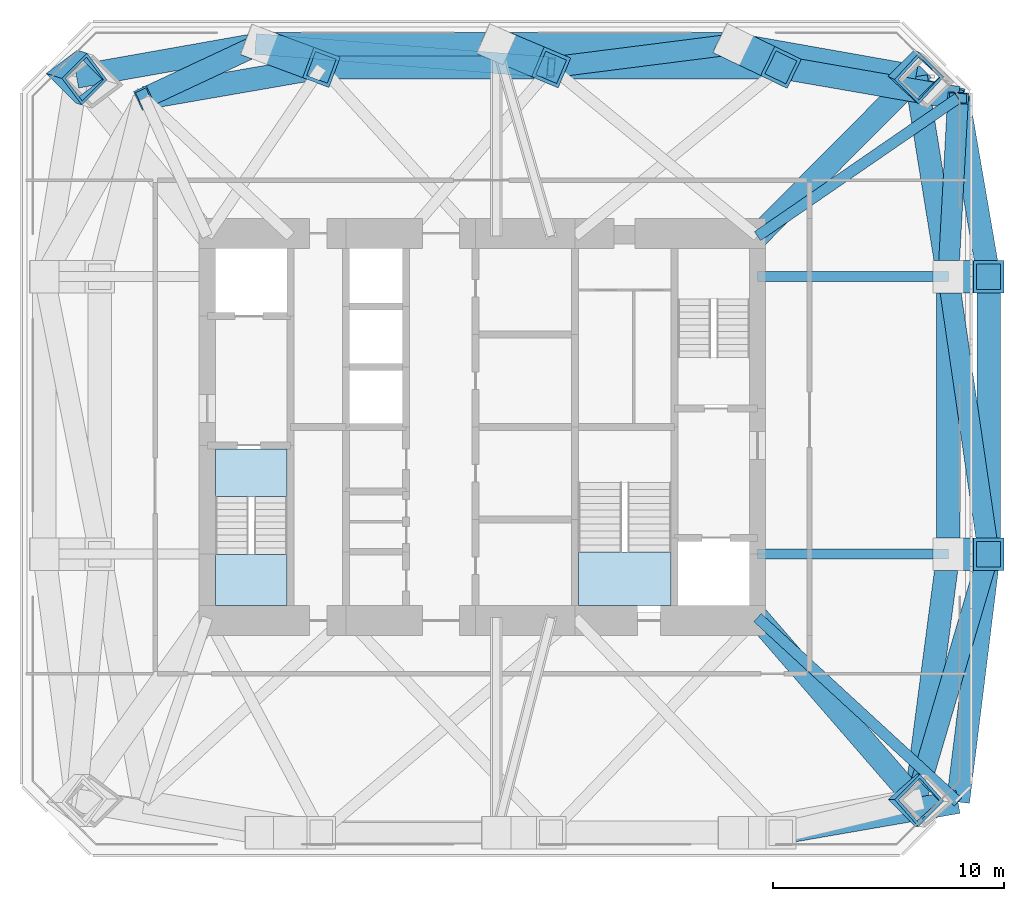
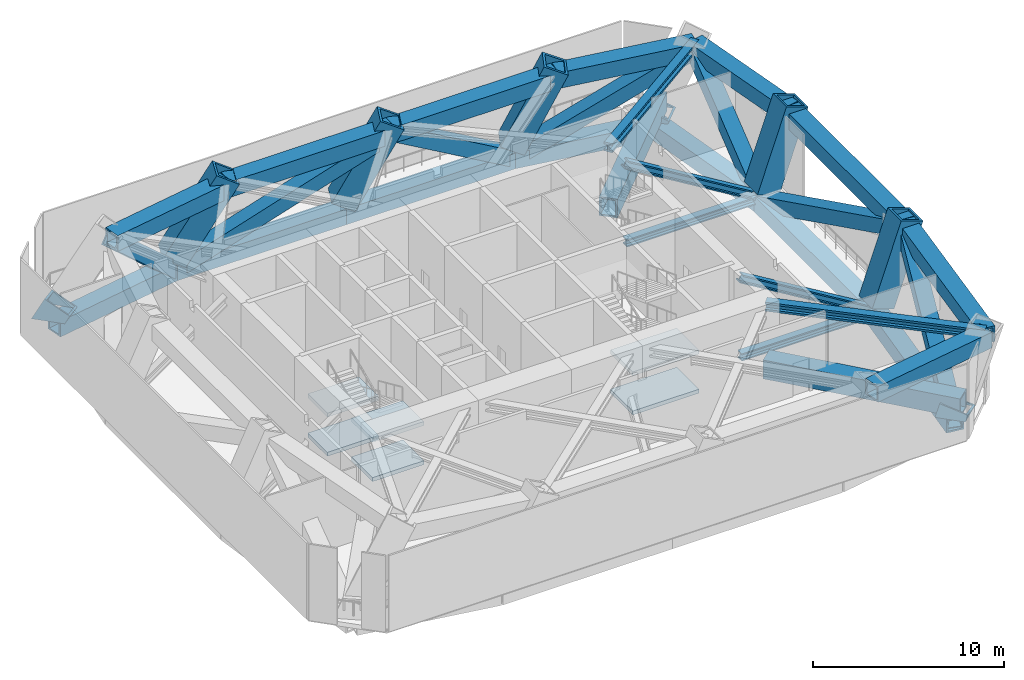
# One storey, part 2 of 8: 36 members, 6 slabs, 2 beams, 2 elements without a shape of their own.
"""IFC4 building model written with IfcOpenShell, lengths in metres."""

from ifc_helpers import new_model, si_unit, direction, frame, origin, origin_2d, place, context, subcontext, project, spatial, polyline, hollow_rectangle, i_section, outline, extrude, clip, halfspace, material, layer, layer_set, material_profile, profile_set, type_object, element, aggregate, save


model = new_model("IFC4")

# Units and contexts
model_context = context("Model", 3, precision=1e-05, world=origin(), true_north=direction((0.0, 1.0)))
body_context = subcontext(model_context, "Body", "Model", "MODEL_VIEW")
ifc_project = project(units=[si_unit("LENGTHUNIT", "METRE"), si_unit("AREAUNIT", "SQUARE_METRE"), si_unit("VOLUMEUNIT", "CUBIC_METRE"), si_unit("PLANEANGLEUNIT", "RADIAN"), si_unit("MASSUNIT", "GRAM", prefix="KILO")], contexts=[model_context])

# Site, building, storey
site_placement = place(None, origin())
site = spatial("IfcSite", under=ifc_project, at=site_placement, CompositionType="ELEMENT")
building_placement = place(site_placement, origin())
building = spatial("IfcBuilding", under=site, at=building_placement, Name="Jalousie Tower", CompositionType="ELEMENT")
storey_placement = place(building_placement, frame((0.0, 0.0, 207.949951171875)))
storey = spatial("IfcBuildingStorey", under=building, at=storey_placement, Name="L57", CompositionType="ELEMENT", Elevation=207.949951171875)

# Members
ifc_material_1 = material(Name="Steel ASTM A572 Grade 50 plate", Category="steel")
ifc_material_profile_1 = material_profile(ifc_material_1, hollow_rectangle(XDim=1.0, YDim=1.0, WallThickness=0.10009765625, at=origin_2d()), Name="BOX 1000x1000x100")
ifc_profile_set_1 = profile_set([ifc_material_profile_1], Name="Steel ASTM A572 Grade 50 plate")
member_type_1 = type_object("IfcMemberType", Name="BELT TRUSS CHORD BOX 1000x1000x100", PredefinedType="CHORD", material=ifc_profile_set_1)
member_1_placement = place(storey_placement, frame((44.8125, 0.949951171875, 4.219970703125), z_axis=(0.985303580858, 0.170812334299, 0.0), x_axis=(-0.170812334299, 0.985303580858, 0.0)))
element("IfcMember", 1, at=member_1_placement, inside=storey, type_object=member_type_1, Name="Belt truss T3 04-05 chord L58", PredefinedType="CHORD", context=body_context, shape_type="SweptSolid", body=[
    extrude(hollow_rectangle(XDim=1.0, YDim=1.0, WallThickness=0.10009765625, at=origin_2d()), origin(), (0.0, 0.0, 1.0), 7.77392578125),
])
member_2_placement = place(storey_placement, frame((50.651611328125, 2.348388671875, -0.780029296875), z_axis=(0.130171745558, 0.991491460709, 0.0), x_axis=(-0.991491460709, 0.130171745558, 0.0)))
element("IfcMember", 2, at=member_2_placement, inside=storey, type_object=member_type_1, Name="Belt truss T3 05-06 chord L57", PredefinedType="CHORD", context=body_context, shape_type="SweptSolid", body=[
    extrude(hollow_rectangle(XDim=1.0, YDim=1.0, WallThickness=0.10009765625, at=origin_2d()), origin(), (0.0, 0.0, 1.0), 10.742919921875),
])
member_3_placement = place(storey_placement, frame((52.47216796875, 2.27783203125, 4.219970703125), z_axis=(0.122905495782, 0.992418379065, 0.0), x_axis=(-0.992418379065, 0.122905495782, 0.0)))
element("IfcMember", 3, at=member_3_placement, inside=storey, type_object=member_type_1, Name="Belt truss T3 05-06 chord L58", PredefinedType="CHORD", context=body_context, shape_type="SweptSolid", body=[
    extrude(hollow_rectangle(XDim=1.0, YDim=1.0, WallThickness=0.10009765625, at=origin_2d()), origin(), (0.0, 0.0, 1.0), 10.80419921875),
])
for number, where, z_axis, x_axis, name in (
    (4, (52.050048828125, 13.0, -0.780029296875), (0.0, 1.0, 0.0), (-1.0, 0.0, 0.0), "Belt truss T3 06-07 chord L57"),
    (5, (53.800048828125, 13.0, 4.219970703125), (0.0, 1.0, 0.0), (-1.0, 0.0, 0.0), "Belt truss T3 06-07 chord L58"),
):
    element("IfcMember", number, at=place(storey_placement, frame(where, z_axis=z_axis, x_axis=x_axis)), inside=storey, type_object=member_type_1, Name=name, PredefinedType="CHORD", context=body_context, shape_type="SweptSolid", body=[
        extrude(hollow_rectangle(XDim=1.0, YDim=1.0, WallThickness=0.10009765625, at=origin_2d()), origin(), (0.0, 0.0, 1.0), 12.0),
    ])
member_4_placement = place(storey_placement, frame((52.050048828125, 25.0, -0.780029296875), z_axis=(-0.159567878256, 0.987186959106, 0.0), x_axis=(-0.987186959106, -0.159567878256, 0.0)))
element("IfcMember", 6, at=member_4_placement, inside=storey, type_object=member_type_1, Name="Belt truss T3 07-08 chord L57", PredefinedType="CHORD", context=body_context, shape_type="SweptSolid", body=[
    extrude(hollow_rectangle(XDim=1.0, YDim=1.0, WallThickness=0.10009765625, at=origin_2d()), origin(), (0.0, 0.0, 1.0), 8.763916015625),
])
member_5_placement = place(storey_placement, frame((53.800048828125, 25.0, 4.219970703125), z_axis=(-0.169469712864, 0.985535395824, 0.0), x_axis=(-0.985535395824, -0.169469712864, 0.0)))
element("IfcMember", 7, at=member_5_placement, inside=storey, type_object=member_type_1, Name="Belt truss T3 07-08 chord L58", PredefinedType="CHORD", context=body_context, shape_type="SweptSolid", body=[
    extrude(hollow_rectangle(XDim=1.0, YDim=1.0, WallThickness=0.10009765625, at=origin_2d()), origin(), (0.0, 0.0, 1.0), 7.83544921875),
])
member_6_placement = place(storey_placement, frame((50.651611328125, 33.651611328125, -0.780029296875), z_axis=(-0.984697370688, 0.174273027632, 0.0), x_axis=(-0.174273027632, -0.984697370688, 0.0)))
element("IfcMember", 8, at=member_6_placement, inside=storey, type_object=member_type_1, Name="Belt truss T3 08-09 chord L57", PredefinedType="CHORD", context=body_context, shape_type="SweptSolid", body=[
    extrude(hollow_rectangle(XDim=1.0, YDim=1.0, WallThickness=0.10009765625, at=origin_2d()), origin(), (0.0, 0.0, 1.0), 8.0244140625),
])
member_7_placement = place(storey_placement, frame((52.47216796875, 32.72216796875, 4.219970703125), z_axis=(-0.985303580858, 0.170812334299, 0.0), x_axis=(-0.170812334299, -0.985303580858, 0.0)))
element("IfcMember", 9, at=member_7_placement, inside=storey, type_object=member_type_1, Name="Belt truss T3 08-09 chord L58", PredefinedType="CHORD", context=body_context, shape_type="SweptSolid", body=[
    extrude(hollow_rectangle(XDim=1.0, YDim=1.0, WallThickness=0.10009765625, at=origin_2d()), origin(), (0.0, 0.0, 1.0), 7.77392578125),
])
member_8_placement = place(storey_placement, frame((42.75, 35.050048828125, -0.780029296875), z_axis=(-1.0, 0.0, 0.0), x_axis=(0.0, -1.0, 0.0)))
element("IfcMember", 10, at=member_8_placement, inside=storey, type_object=member_type_1, Name="Belt truss T3 09-10 chord L57", PredefinedType="CHORD", context=body_context, shape_type="SweptSolid", body=[
    extrude(hollow_rectangle(XDim=1.0, YDim=1.0, WallThickness=0.10009765625, at=origin_2d()), origin(), (0.0, 0.0, 1.0), 10.25),
])
member_9_placement = place(storey_placement, frame((44.8125, 34.050048828125, 4.219970703125), z_axis=(-1.0, 0.0, 0.0), x_axis=(0.0, -1.0, 0.0)))
element("IfcMember", 11, at=member_9_placement, inside=storey, type_object=member_type_1, Name="Belt truss T3 09-10 chord L58", PredefinedType="CHORD", context=body_context, shape_type="SweptSolid", body=[
    extrude(hollow_rectangle(XDim=1.0, YDim=1.0, WallThickness=0.10009765625, at=origin_2d()), origin(), (0.0, 0.0, 1.0), 9.9375),
])
member_10_placement = place(storey_placement, frame((32.5, 35.050048828125, -0.780029296875), z_axis=(-1.0, 0.0, 0.0), x_axis=(0.0, -1.0, 0.0)))
element("IfcMember", 12, at=member_10_placement, inside=storey, type_object=member_type_1, Name="Belt truss T3 10-11 chord L57", PredefinedType="CHORD", context=body_context, shape_type="SweptSolid", body=[
    extrude(hollow_rectangle(XDim=1.0, YDim=1.0, WallThickness=0.10009765625, at=origin_2d()), origin(), (0.0, 0.0, 1.0), 10.25),
])
member_11_placement = place(storey_placement, frame((34.875, 34.050048828125, 4.219970703125), z_axis=(-1.0, 0.0, 0.0), x_axis=(0.0, -1.0, 0.0)))
element("IfcMember", 13, at=member_11_placement, inside=storey, type_object=member_type_1, Name="Belt truss T3 10-11 chord L58", PredefinedType="CHORD", context=body_context, shape_type="SweptSolid", body=[
    extrude(hollow_rectangle(XDim=1.0, YDim=1.0, WallThickness=0.10009765625, at=origin_2d()), origin(), (0.0, 0.0, 1.0), 9.9375),
])
member_12_placement = place(storey_placement, frame((22.25, 35.050048828125, -0.780029296875), z_axis=(-0.984697370688, -0.174273027632, 0.0), x_axis=(0.174273027632, -0.984697370688, 0.0)))
element("IfcMember", 14, at=member_12_placement, inside=storey, type_object=member_type_1, Name="Belt truss T3 11-12 chord L57", PredefinedType="CHORD", context=body_context, shape_type="SweptSolid", body=[
    extrude(hollow_rectangle(XDim=1.0, YDim=1.0, WallThickness=0.10009765625, at=origin_2d()), origin(), (0.0, 0.0, 1.0), 8.0244140625),
])
member_13_placement = place(storey_placement, frame((24.9375, 34.050048828125, 4.219970703125), z_axis=(-0.985303580858, -0.170812334299, 0.0), x_axis=(0.170812334299, -0.985303580858, 0.0)))
element("IfcMember", 15, at=member_13_placement, inside=storey, type_object=member_type_1, Name="Belt truss T3 11-12 chord L58", PredefinedType="CHORD", context=body_context, shape_type="SweptSolid", body=[
    extrude(hollow_rectangle(XDim=1.0, YDim=1.0, WallThickness=0.10009765625, at=origin_2d()), origin(), (0.0, 0.0, 1.0), 7.77392578125),
])
ifc_material_2 = material(Name="Steel ASTM A572 Grade 50 plate", Category="steel")
ifc_material_profile_2 = material_profile(ifc_material_2, hollow_rectangle(XDim=0.89990234375, YDim=0.89990234375, WallThickness=0.080078125, at=origin_2d()), Name="BOX 900x900x80")
ifc_profile_set_2 = profile_set([ifc_material_profile_2], Name="Steel ASTM A572 Grade 50 plate")
member_type_2 = type_object("IfcMemberType", Name="BELT TRUSS DIAGONAL BOX 900x900x80", PredefinedType="BRACE", material=ifc_profile_set_2)
member_14_placement = place(storey_placement, frame((50.651611328125, 2.348388671875, -0.780029296875), z_axis=(0.258477524344, 0.874466184057, 0.410485398462), x_axis=(-0.958984172052, 0.283459622792, 0.0)))
element("IfcMember", 16, at=member_14_placement, inside=storey, type_object=member_type_2, Name="Belt truss T3 05-06 diagonal L57", PredefinedType="BRACE", context=body_context, shape_type="SweptSolid", body=[
    extrude(hollow_rectangle(XDim=0.89990234375, YDim=0.89990234375, WallThickness=0.080078125, at=origin_2d()), origin(), (0.0, 0.0, 1.0), 12.1806640625),
])
member_15_placement = place(storey_placement, frame((53.800048828125, 13.0, 4.219970703125), z_axis=(-0.133412012142, 0.914825226113, -0.381177177547), x_axis=(-0.989532981063, -0.144306893072, 0.0)))
element("IfcMember", 17, at=member_15_placement, inside=storey, type_object=member_type_2, Name="Belt truss T3 06-07 diagonal L57", PredefinedType="BRACE", context=body_context, shape_type="SweptSolid", body=[
    extrude(hollow_rectangle(XDim=0.89990234375, YDim=0.89990234375, WallThickness=0.080078125, at=origin_2d()), origin(), (0.0, 0.0, 1.0), 13.1171875),
])
member_16_placement = place(storey_placement, frame((52.050048828125, 25.0, -0.780029296875), z_axis=(0.045836489967, 0.838524105062, 0.542933091106), x_axis=(-0.998509302034, 0.054581807879, 0.0)))
element("IfcMember", 18, at=member_16_placement, inside=storey, type_object=member_type_2, Name="Belt truss T3 07-08 diagonal L57", PredefinedType="BRACE", context=body_context, shape_type="SweptSolid", body=[
    extrude(hollow_rectangle(XDim=0.89990234375, YDim=0.89990234375, WallThickness=0.080078125, at=origin_2d()), origin(), (0.0, 0.0, 1.0), 9.209228515625),
])
member_17_placement = place(storey_placement, frame((52.47216796875, 32.72216796875, 4.219970703125), z_axis=(-0.869787376701, 0.208262333304, -0.447321718518), x_axis=(-0.232858443908, -0.972510640096, 0.0)))
element("IfcMember", 19, at=member_17_placement, inside=storey, type_object=member_type_2, Name="Belt truss T3 08-09 diagonal L57", PredefinedType="BRACE", context=body_context, shape_type="SweptSolid", body=[
    extrude(hollow_rectangle(XDim=0.89990234375, YDim=0.89990234375, WallThickness=0.080078125, at=origin_2d()), origin(), (0.0, 0.0, 1.0), 11.177734375),
])
member_18_placement = place(storey_placement, frame((42.75, 35.050048828125, -0.780029296875), z_axis=(-0.839403303068, -0.106590895628, 0.532954478138), x_axis=(0.125972537044, -0.99203372922, 0.0)))
element("IfcMember", 20, at=member_18_placement, inside=storey, type_object=member_type_2, Name="Belt truss T3 09-10 diagonal L57", PredefinedType="BRACE", context=body_context, shape_type="SweptSolid", body=[
    extrude(hollow_rectangle(XDim=0.89990234375, YDim=0.89990234375, WallThickness=0.080078125, at=origin_2d()), origin(), (0.0, 0.0, 1.0), 9.381591796875),
])
member_19_placement = place(storey_placement, frame((34.875, 34.050048828125, 4.219970703125), z_axis=(-0.927230059721, 0.073443965126, -0.367219825632), x_axis=(-0.078960612796, -0.996877736549, 0.0)))
element("IfcMember", 21, at=member_19_placement, inside=storey, type_object=member_type_2, Name="Belt truss T3 10-11 diagonal L57", PredefinedType="BRACE", context=body_context, shape_type="SweptSolid", body=[
    extrude(hollow_rectangle(XDim=0.89990234375, YDim=0.89990234375, WallThickness=0.080078125, at=origin_2d()), origin(), (0.0, 0.0, 1.0), 13.61572265625),
])
member_20_placement = place(storey_placement, frame((22.25, 35.050048828125, -0.780029296875), z_axis=(-0.669586313602, -0.31348843662, 0.673334366227), x_axis=(0.424012282262, -0.905656438442, 0.0)))
element("IfcMember", 22, at=member_20_placement, inside=storey, type_object=member_type_2, Name="Belt truss T3 11-12 diagonal L57", PredefinedType="BRACE", context=body_context, shape_type="SweptSolid", body=[
    extrude(hollow_rectangle(XDim=0.89990234375, YDim=0.89990234375, WallThickness=0.080078125, at=origin_2d()), origin(), (0.0, 0.0, 1.0), 7.42578125),
])

# Beams
ifc_material_3 = material(Name="Steel ASTM A572 Grade 50 plate", Category="steel")
ifc_material_profile_3 = material_profile(ifc_material_3, hollow_rectangle(XDim=1.0, YDim=1.199951171875, WallThickness=0.10009765625, at=origin_2d()), Name="BOX 1200x1000x100")
ifc_profile_set_3 = profile_set([ifc_material_profile_3], Name="Steel ASTM A572 Grade 50 plate")
beam_type = type_object("IfcBeamType", Name="KINK COLLECTOR BOX 1200x1000x100", PredefinedType="BEAM", material=ifc_profile_set_3)
beam_1_placement = place(storey_placement, frame((50.93896484375, 2.016845703125, 0.60009765625), z_axis=(-0.655114754722, 0.755529389333, 0.0), x_axis=(-0.755529389333, -0.655114754722, 0.0)))
element("IfcBeam", 23, at=beam_1_placement, inside=storey, type_object=beam_type, Name="Kink collector 05 L57", PredefinedType="BEAM", context=body_context, shape_type="SweptSolid", body=[
    extrude(hollow_rectangle(XDim=1.0, YDim=1.199951171875, WallThickness=0.10009765625, at=origin_2d()), origin(), (0.0, 0.0, 1.0), 10.897216796875),
])
beam_2_placement = place(storey_placement, frame((50.95751953125, 33.959716796875, 0.60009765625), z_axis=(-0.704530738057, -0.709673473601, 0.0), x_axis=(0.709673473601, -0.704530738057, 0.0)))
element("IfcBeam", 24, at=beam_2_placement, inside=storey, type_object=beam_type, Name="Kink collector 08 L57", PredefinedType="BEAM", context=body_context, shape_type="SweptSolid", body=[
    extrude(hollow_rectangle(XDim=1.0, YDim=1.199951171875, WallThickness=0.10009765625, at=origin_2d()), origin(), (0.0, 0.0, 1.0), 10.1591796875),
])

# Members
ifc_material_4 = material(Name="Steel ASTM A992 Grade 50", Category="steel")
ifc_material_profile_4 = material_profile(ifc_material_4, i_section(OverallWidth=0.472412109375, OverallDepth=0.5791015625, WebThickness=0.094970703125, FlangeThickness=0.1298828125, at=origin_2d()), Name="W14X808")
ifc_profile_set_4 = profile_set([ifc_material_profile_4], Name="Steel ASTM A992 Grade 50")
member_type_3 = type_object("IfcMemberType", Name="KINK FLOOR TRUSS DIAGONAL W14X808", PredefinedType="BRACE", material=ifc_profile_set_4)
member_21_placement = place(storey_placement, frame((52.47216796875, 2.27783203125, 4.430419921875), z_axis=(-0.736192432923, 0.676772267241, 0.0), x_axis=(-0.676772267241, -0.736192432923, 0.0)))
element("IfcMember", 25, at=member_21_placement, inside=storey, type_object=member_type_3, Name="Kink floor truss L58 05 diagonal", PredefinedType="BRACE", context=body_context, shape_type="SweptSolid", body=[
    extrude(i_section(OverallWidth=0.472412109375, OverallDepth=0.5791015625, WebThickness=0.094970703125, FlangeThickness=0.1298828125, at=origin_2d()), origin(), (0.0, 0.0, 1.0), 11.77978515625),
])
member_22_placement = place(storey_placement, frame((52.47216796875, 32.72216796875, 4.430419921875), z_axis=(-0.823594488861, -0.567179088047, 0.0), x_axis=(0.567179088047, -0.823594488861, 0.0)))
element("IfcMember", 26, at=member_22_placement, inside=storey, type_object=member_type_3, Name="Kink floor truss L58 08 diagonal", PredefinedType="BRACE", context=body_context, shape_type="SweptSolid", body=[
    extrude(i_section(OverallWidth=0.472412109375, OverallDepth=0.5791015625, WebThickness=0.094970703125, FlangeThickness=0.1298828125, at=origin_2d()), origin(), (0.0, 0.0, 1.0), 10.529541015625),
])
ifc_material_5 = material(Name="Steel EN 10025-2 S355J2 plate", Category="steel")
ifc_material_profile_5 = material_profile(ifc_material_5, hollow_rectangle(XDim=1.60009765625, YDim=1.60009765625, WallThickness=0.125, at=origin_2d()), Name="BOX 1600x1600x125")
ifc_profile_set_5 = profile_set([ifc_material_profile_5], Name="Steel EN 10025-2 S355J2 plate")
member_type_4 = type_object("IfcMemberType", Name="KINK NODE BOX 1600x1600x125", PredefinedType="MEMBER", material=ifc_profile_set_5)
member_23_placement = place(storey_placement, frame((50.510498046875, 2.35400390625, -0.387451171875), z_axis=(0.341926655174, -0.013321817734, 0.939632210843), x_axis=(-0.641681368085, 0.727186219381, 0.243813913047)))
element("IfcMember", 27, at=member_23_placement, inside=storey, type_object=member_type_4, Name="Kink node of corner column 05 at +207.950", PredefinedType="MEMBER", context=body_context, shape_type="Clipping", body=[
    clip(extrude(hollow_rectangle(XDim=1.60009765625, YDim=1.60009765625, WallThickness=0.125, at=origin_2d()), origin(), (0.0, 0.0, 1.0), 0.82470703125), halfspace(frame((0.0, 0.0, 0.412353515625), z_axis=(0.243813913047, 0.240095989453, 0.939632210843)), True)),
])
member_24_placement = place(storey_placement, frame((50.51416015625, 33.7216796875, -0.376953125), z_axis=(0.337183287492, -0.172338124718, 0.925530659354), x_axis=(-0.67275602406, -0.731817026229, 0.108826339698)))
element("IfcMember", 28, at=member_24_placement, inside=storey, type_object=member_type_4, Name="Kink node of corner column 08 at +207.950", PredefinedType="MEMBER", context=body_context, shape_type="Clipping", body=[
    clip(extrude(hollow_rectangle(XDim=1.60009765625, YDim=1.60009765625, WallThickness=0.125, at=origin_2d()), origin(), (0.0, 0.0, 1.0), 0.814453125), halfspace(frame((0.0, 0.0, 0.4072265625), z_axis=(0.108826339698, -0.362697982325, 0.925530659354)), True)),
])
member_25_placement = place(storey_placement, frame((14.01123046875, 33.758544921875, -0.575439453125), z_axis=(0.499200858651, -0.158450652565, 0.851875515215), x_axis=(0.536414076665, -0.715582114617, -0.447439577592)))
element("IfcMember", 29, at=member_25_placement, inside=storey, type_object=member_type_4, Name="Kink node of corner column 12 at +207.950", PredefinedType="MEMBER", context=body_context, shape_type="Clipping", body=[
    clip(extrude(hollow_rectangle(XDim=1.60009765625, YDim=1.60009765625, WallThickness=0.125, at=origin_2d()), origin(), (0.0, 0.0, 1.0), 1.351318359375), halfspace(frame((0.0, 0.0, 0.675537109375), z_axis=(-0.447439577592, -0.27222404556, 0.851875515215)), True)),
])
ifc_material_6 = material(Name="Steel ASTM A992 Grade 50", Category="steel")
ifc_material_profile_6 = material_profile(ifc_material_6, i_section(OverallWidth=0.42431640625, OverallDepth=0.47509765625, WebThickness=0.0478515625, FlangeThickness=0.0771484375, at=origin_2d()), Name="W14X426")
ifc_profile_set_6 = profile_set([ifc_material_profile_6], Name="Steel ASTM A992 Grade 50")
member_type_5 = type_object("IfcMemberType", Name="OUTRIGGER CHORD W14X426", PredefinedType="CHORD", material=ifc_profile_set_6)
for number, where, z_axis, x_axis, name in (
    (30, (52.050048828125, 13.0, -0.517333984375), (-1.0, 0.0, 0.0), (0.0, -1.0, 0.0), "Outrigger T3 east arm at column 06 chord L57"),
    (31, (52.050048828125, 25.0, -0.517333984375), (-1.0, 0.0, 0.0), (0.0, -1.0, 0.0), "Outrigger T3 east arm at column 07 chord L57"),
):
    element("IfcMember", number, at=place(storey_placement, frame(where, z_axis=z_axis, x_axis=x_axis)), inside=storey, type_object=member_type_5, Name=name, PredefinedType="CHORD", context=body_context, shape_type="SweptSolid", body=[
        extrude(i_section(OverallWidth=0.42431640625, OverallDepth=0.47509765625, WebThickness=0.0478515625, FlangeThickness=0.0771484375, at=origin_2d()), origin(), (0.0, 0.0, 1.0), 8.25),
    ])
ifc_material_7 = material(Name="Steel ASTM A992 Grade 50", Category="steel")
ifc_material_profile_7 = material_profile(ifc_material_7, i_section(OverallWidth=0.42431640625, OverallDepth=0.47509765625, WebThickness=0.0478515625, FlangeThickness=0.0771484375, at=origin_2d()), Name="W14X426")
ifc_profile_set_7 = profile_set([ifc_material_profile_7], Name="Steel ASTM A992 Grade 50")
member_type_6 = type_object("IfcMemberType", Name="OUTRIGGER DIAGONAL W14X426", PredefinedType="BRACE", material=ifc_profile_set_7)
for number, where, z_axis, x_axis, name in (
    (32, (52.050048828125, 13.0, -0.517333984375), (-0.855197831554, 0.0, 0.518301716093), (0.0, -1.0, 0.0), "Outrigger T3 east arm at column 06 diagonal L57"),
    (33, (52.050048828125, 25.0, -0.517333984375), (-0.855197831554, 0.0, 0.518301716093), (0.0, -1.0, 0.0), "Outrigger T3 east arm at column 07 diagonal L57"),
):
    element("IfcMember", number, at=place(storey_placement, frame(where, z_axis=z_axis, x_axis=x_axis)), inside=storey, type_object=member_type_6, Name=name, PredefinedType="BRACE", context=body_context, shape_type="SweptSolid", body=[
        extrude(i_section(OverallWidth=0.42431640625, OverallDepth=0.47509765625, WebThickness=0.0478515625, FlangeThickness=0.0771484375, at=origin_2d()), origin(), (0.0, 0.0, 1.0), 9.64697265625),
    ])
ifc_material_8 = material(Name="Steel EN 10025-2 S355J2 plate", Category="steel")
ifc_material_profile_8 = material_profile(ifc_material_8, hollow_rectangle(XDim=1.39990234375, YDim=1.39990234375, WallThickness=0.14990234375, at=origin_2d()), Name="BOX 1400x1400x150")
ifc_profile_set_8 = profile_set([ifc_material_profile_8], Name="Steel EN 10025-2 S355J2 plate")
member_type_7 = type_object("IfcMemberType", Name="TRANSFER TRUSS STRUT BOX 1400x1400x150", PredefinedType="STRUT", material=ifc_profile_set_8)
for number, where, z_axis, x_axis, name in (
    (34, (52.050048828125, 13.0, 0.0), (0.330350424728, 0.0, 0.943858356366), (0.0, 1.0, 0.0), "Transfer truss T3 strut 06 L57"),
    (35, (52.050048828125, 25.0, 0.0), (0.330350424728, 0.0, 0.943858356366), (0.0, 1.0, 0.0), "Transfer truss T3 strut 07 L57"),
):
    element("IfcMember", number, at=place(storey_placement, frame(where, z_axis=z_axis, x_axis=x_axis)), inside=storey, type_object=member_type_7, Name=name, PredefinedType="STRUT", context=body_context, shape_type="SweptSolid", body=[
        extrude(hollow_rectangle(XDim=1.39990234375, YDim=1.39990234375, WallThickness=0.14990234375, at=origin_2d()), origin(), (0.0, 0.0, 1.0), 5.29736328125),
    ])
member_26_placement = place(storey_placement, frame((42.75, 35.050048828125, 0.0), z_axis=(0.374975790051, -0.181806443661, 0.909032218306), x_axis=(0.436273506519, 0.899814107196, 0.0)))
element("IfcMember", 36, at=member_26_placement, inside=storey, type_object=member_type_7, Name="Transfer truss T3 strut 09 L57", PredefinedType="STRUT", context=body_context, shape_type="SweptSolid", body=[
    extrude(hollow_rectangle(XDim=1.39990234375, YDim=1.39990234375, WallThickness=0.14990234375, at=origin_2d()), origin(), (0.0, 0.0, 1.0), 5.500244140625),
])
member_27_placement = place(storey_placement, frame((32.5, 35.050048828125, 0.0), z_axis=(0.422222222222, -0.177777777778, 0.888888888889), x_axis=(0.388057000058, 0.921635375138, 0.0)))
element("IfcMember", 37, at=member_27_placement, inside=storey, type_object=member_type_7, Name="Transfer truss T3 strut 10 L57", PredefinedType="STRUT", context=body_context, shape_type="SweptSolid", body=[
    extrude(hollow_rectangle(XDim=1.39990234375, YDim=1.39990234375, WallThickness=0.14990234375, at=origin_2d()), origin(), (0.0, 0.0, 1.0), 5.625),
])
member_28_placement = place(storey_placement, frame((22.25, 35.050048828125, 0.0), z_axis=(0.466263368187, -0.173493346302, 0.86746673151), x_axis=(0.348733712021, 0.937221851058, 0.0)))
element("IfcMember", 38, at=member_28_placement, inside=storey, type_object=member_type_7, Name="Transfer truss T3 strut 11 L57", PredefinedType="STRUT", context=body_context, shape_type="SweptSolid", body=[
    extrude(hollow_rectangle(XDim=1.39990234375, YDim=1.39990234375, WallThickness=0.14990234375, at=origin_2d()), origin(), (0.0, 0.0, 1.0), 5.763916015625),
])

# Stair, slabs
ifc_material_9 = material(Name="Concrete f'c 40 MPa", Category="concrete")
stair_type = type_object("IfcStairType", Name="EXIT STAIR", PredefinedType="HALF_TURN_STAIR", material=ifc_material_9)
stair_1_placement = place(storey_placement, origin())
stair_1 = element("IfcStair", 39, at=stair_1_placement, inside=storey, type_object=stair_type, Name="Exit stair A L57", PredefinedType="HALF_TURN_STAIR")
ifc_material_10 = material(Name="Concrete f'c 40 MPa", Category="concrete")
ifc_layer = layer(ifc_material_10, 0.25)
ifc_layer_set = layer_set([ifc_layer], Name="Concrete f'c 40 MPa")
slab_type = type_object("IfcSlabType", Name="STAIR LANDING 250", PredefinedType="LANDING", material=ifc_layer_set)
slab_1_placement = place(storey_placement, frame((0.0, 0.0, -0.25)))
slab_1 = element("IfcSlab", 40, at=slab_1_placement, type_object=slab_type, Name="ST-A landing 1", PredefinedType="LANDING", context=body_context, shape_type="SweptSolid", body=[
    extrude(outline(polyline([(20.35009765625, 15.49755859375), (23.449951171875, 15.49755859375), (23.449951171875, 17.550048828125), (20.35009765625, 17.550048828125), (20.35009765625, 15.49755859375)])), origin(), (0.0, 0.0, 1.0), 0.25),
])
slab_2_placement = place(storey_placement, frame((0.0, 0.0, 1.0)))
slab_2 = element("IfcSlab", 41, at=slab_2_placement, type_object=slab_type, Name="ST-A landing 2", PredefinedType="LANDING", context=body_context, shape_type="SweptSolid", body=[
    extrude(outline(polyline([(20.35009765625, 10.77490234375), (23.449951171875, 10.77490234375), (23.449951171875, 12.9775390625), (20.35009765625, 12.9775390625), (20.35009765625, 10.77490234375)])), origin(), (0.0, 0.0, 1.0), 0.25),
])
slab_3_placement = place(storey_placement, frame((0.0, 0.0, 2.25)))
slab_3 = element("IfcSlab", 42, at=slab_3_placement, type_object=slab_type, Name="ST-A landing 3", PredefinedType="LANDING", context=body_context, shape_type="SweptSolid", body=[
    extrude(outline(polyline([(20.35009765625, 15.49755859375), (23.449951171875, 15.49755859375), (23.449951171875, 17.550048828125), (20.35009765625, 17.550048828125), (20.35009765625, 15.49755859375)])), origin(), (0.0, 0.0, 1.0), 0.25),
])
slab_4_placement = place(storey_placement, frame((0.0, 0.0, 3.5)))
slab_4 = element("IfcSlab", 43, at=slab_4_placement, type_object=slab_type, Name="ST-A landing 4", PredefinedType="LANDING", context=body_context, shape_type="SweptSolid", body=[
    extrude(outline(polyline([(20.35009765625, 10.77490234375), (23.449951171875, 10.77490234375), (23.449951171875, 12.9775390625), (20.35009765625, 12.9775390625), (20.35009765625, 10.77490234375)])), origin(), (0.0, 0.0, 1.0), 0.25),
])
aggregate(stair_1, [slab_1, slab_2, slab_3, slab_4])

stair_2_placement = place(storey_placement, origin())
stair_2 = element("IfcStair", 44, at=stair_2_placement, inside=storey, type_object=stair_type, Name="Exit stair C L57", PredefinedType="HALF_TURN_STAIR")
slab_5_placement = place(storey_placement, frame((0.0, 0.0, -0.25)))
slab_5 = element("IfcSlab", 45, at=slab_5_placement, type_object=slab_type, Name="ST-C landing 1", PredefinedType="LANDING", context=body_context, shape_type="SweptSolid", body=[
    extrude(outline(polyline([(36.050048828125, 10.77490234375), (40.050048828125, 10.77490234375), (40.050048828125, 13.097412109375), (36.050048828125, 13.097412109375), (36.050048828125, 10.77490234375)])), origin(), (0.0, 0.0, 1.0), 0.25),
])
slab_6_placement = place(storey_placement, frame((0.0, 0.0, 2.25)))
slab_6 = element("IfcSlab", 46, at=slab_6_placement, type_object=slab_type, Name="ST-C landing 3", PredefinedType="LANDING", context=body_context, shape_type="SweptSolid", body=[
    extrude(outline(polyline([(36.050048828125, 10.77490234375), (40.050048828125, 10.77490234375), (40.050048828125, 13.097412109375), (36.050048828125, 13.097412109375), (36.050048828125, 10.77490234375)])), origin(), (0.0, 0.0, 1.0), 0.25),
])
aggregate(stair_2, [slab_5, slab_6])

save(model, "model.ifc")
